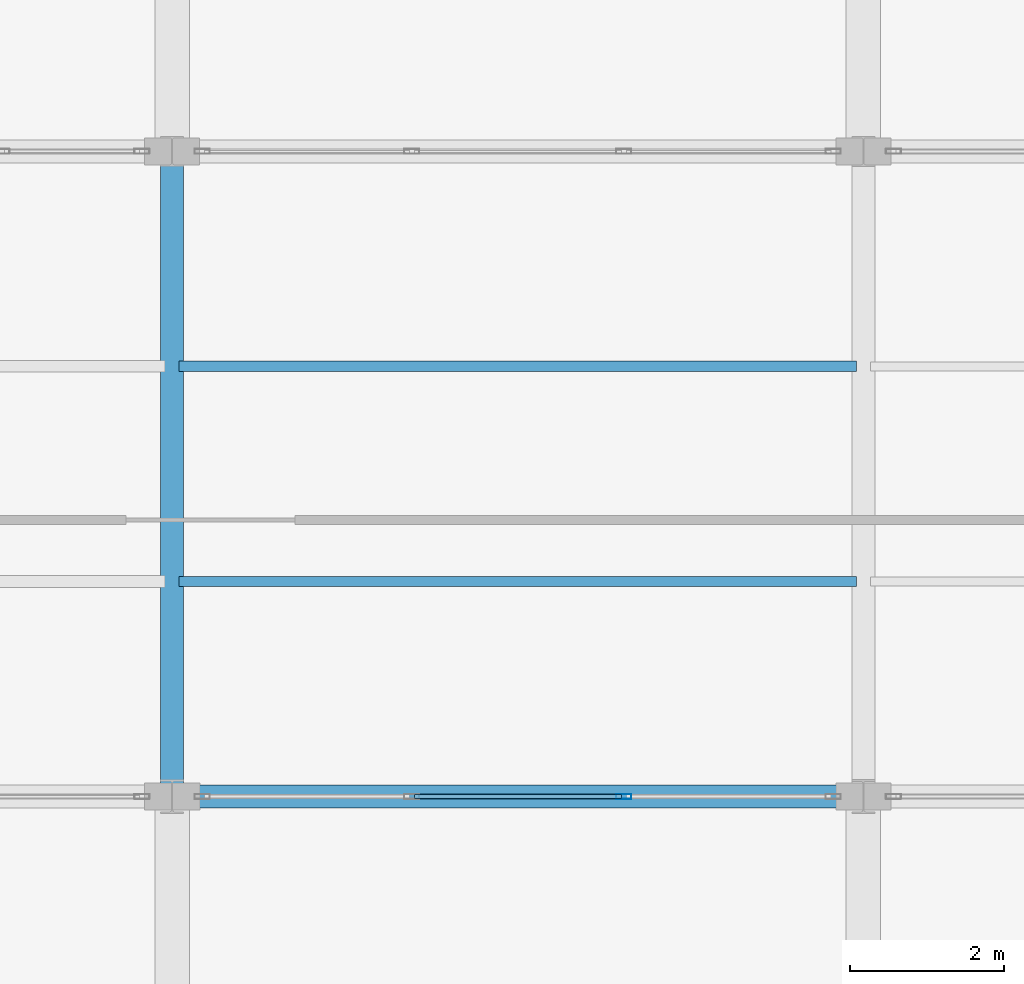
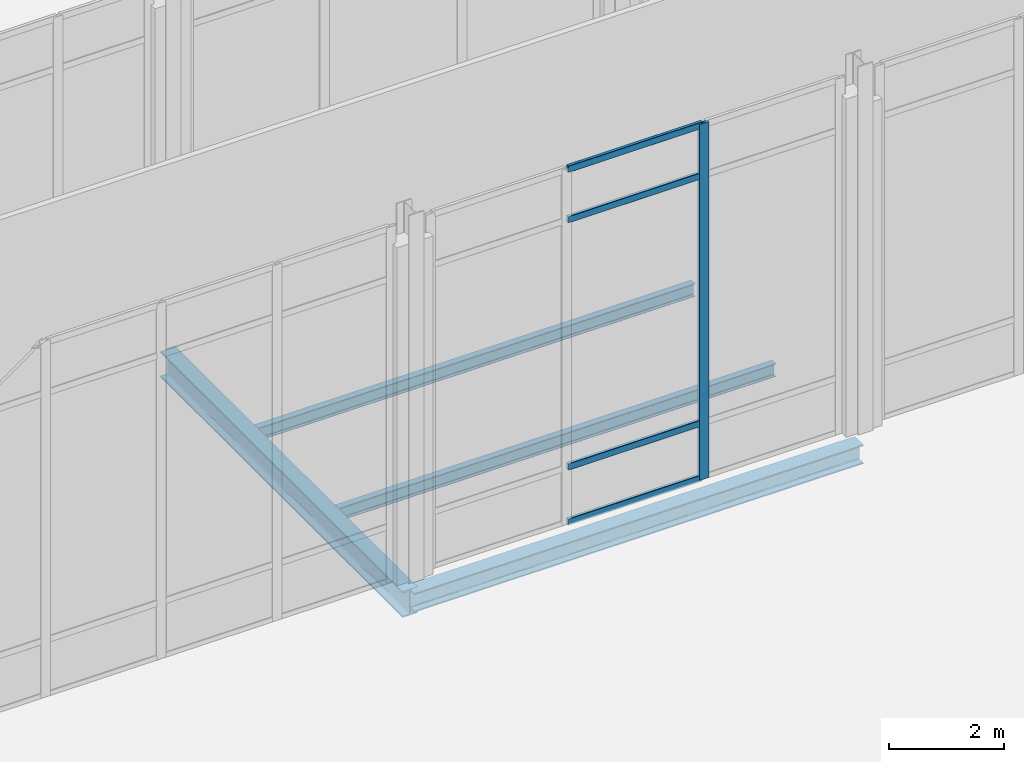
# One storey, part 100 of 176: 5 members, 4 beams, 1 element without a shape of its own.
"""IFC4 building model written with IfcOpenShell, lengths in metres."""

from ifc_helpers import new_model, si_unit, direction, frame, origin, origin_2d, place, context, subcontext, project, spatial, hollow_rectangle, i_section, extrude, material, layer, layer_set, material_profile, profile_set, type_object, element, aggregate, save


model = new_model("IFC4")

# Units and contexts
model_context = context("Model", 3, precision=1e-05, world=origin(), true_north=direction((0.0, 1.0)))
body_context = subcontext(model_context, "Body", "Model", "MODEL_VIEW")
ifc_project = project(units=[si_unit("LENGTHUNIT", "METRE"), si_unit("AREAUNIT", "SQUARE_METRE"), si_unit("VOLUMEUNIT", "CUBIC_METRE"), si_unit("PLANEANGLEUNIT", "RADIAN"), si_unit("MASSUNIT", "GRAM", prefix="KILO")], contexts=[model_context])

# Site, building, storey
site_placement = place(None, origin())
site = spatial("IfcSite", under=ifc_project, at=site_placement, CompositionType="ELEMENT")
building_placement = place(site_placement, origin())
building = spatial("IfcBuilding", under=site, at=building_placement, Name="Vekula Escarpment Museum", CompositionType="ELEMENT")
storey_placement = place(building_placement, origin())
storey = spatial("IfcBuildingStorey", under=building, at=storey_placement, Name="L01", CompositionType="ELEMENT", Elevation=0.0)

# Beams
ifc_material_1 = material(Name="Steel S355", Category="steel")
ifc_material_profile_1 = material_profile(ifc_material_1, i_section(OverallWidth=0.300048828125, OverallDepth=0.39990234375, WebThickness=0.013427734375, FlangeThickness=0.02392578125, FilletRadius=0.027099609375, at=origin_2d()), Name="HEB 400")
ifc_profile_set_1 = profile_set([ifc_material_profile_1], Name="Steel S355")
beam_type_1 = type_object("IfcBeamType", Name="BM-GIRD-HEB400", PredefinedType="BEAM", material=ifc_profile_set_1)
beam_1_placement = place(storey_placement, frame((146.0, 68.0, -0.5), z_axis=(1.0, 0.0, 0.0), x_axis=(0.0, 1.0, 0.0)))
element("IfcBeam", 1, at=beam_1_placement, inside=storey, type_object=beam_type_1, Name="Beam X L01 0201", PredefinedType="BEAM", context=body_context, shape_type="SweptSolid", body=[
    extrude(i_section(OverallWidth=0.300048828125, OverallDepth=0.39990234375, WebThickness=0.013427734375, FlangeThickness=0.02392578125, FilletRadius=0.027099609375, at=origin_2d()), origin(), (0.0, 0.0, 1.0), 9.0),
])
ifc_material_2 = material(Name="Steel S355", Category="steel")
ifc_material_profile_2 = material_profile(ifc_material_2, i_section(OverallWidth=0.300048828125, OverallDepth=0.550048828125, WebThickness=0.014892578125, FlangeThickness=0.029052734375, FilletRadius=0.027099609375, at=origin_2d()), Name="HEB 550")
ifc_profile_set_2 = profile_set([ifc_material_profile_2], Name="Steel S355")
beam_type_2 = type_object("IfcBeamType", Name="BM-GIRD-HEB550", PredefinedType="BEAM", material=ifc_profile_set_2)
beam_2_placement = place(storey_placement, frame((146.0, 68.0, -0.574951171875), z_axis=(0.0, 1.0, 0.0), x_axis=(-1.0, 0.0, 0.0)))
element("IfcBeam", 2, at=beam_2_placement, inside=storey, type_object=beam_type_2, Name="Beam Y L01 0696", PredefinedType="BEAM", context=body_context, shape_type="SweptSolid", body=[
    extrude(i_section(OverallWidth=0.300048828125, OverallDepth=0.550048828125, WebThickness=0.014892578125, FlangeThickness=0.029052734375, FilletRadius=0.027099609375, at=origin_2d()), origin(), (0.0, 0.0, 1.0), 8.39990234375),
])
ifc_material_3 = material(Name="Steel S355", Category="steel")
ifc_material_profile_3 = material_profile(ifc_material_3, i_section(OverallWidth=0.135009765625, OverallDepth=0.27001953125, WebThickness=0.006591796875, FlangeThickness=0.01025390625, FilletRadius=0.014892578125, at=origin_2d()), Name="IPE 270")
ifc_profile_set_3 = profile_set([ifc_material_profile_3], Name="Steel S355")
beam_type_3 = type_object("IfcBeamType", Name="BM-JST-IPE270", PredefinedType="JOIST", material=ifc_profile_set_3)
for number, where, z_axis, x_axis, name in (
    (3, (146.090087890625, 70.800048828125, -0.43505859375), (1.0, 0.0, 0.0), (0.0, 1.0, 0.0), "Secondary Joist L01 0491"),
    (4, (146.090087890625, 73.60009765625, -0.43505859375), (1.0, 0.0, 0.0), (0.0, 1.0, 0.0), "Secondary Joist L01 0492"),
):
    element("IfcBeam", number, at=place(storey_placement, frame(where, z_axis=z_axis, x_axis=x_axis)), inside=storey, type_object=beam_type_3, Name=name, PredefinedType="JOIST", context=body_context, shape_type="SweptSolid", body=[
        extrude(i_section(OverallWidth=0.135009765625, OverallDepth=0.27001953125, WebThickness=0.006591796875, FlangeThickness=0.01025390625, FilletRadius=0.014892578125, at=origin_2d()), origin(), (0.0, 0.0, 1.0), 8.81982421875),
    ])

# Curtain wall, members
ifc_material_4 = material(Name="Aluminium thermally broken framing", Category="aluminium")
ifc_layer = layer(ifc_material_4, 0.199951171875)
ifc_layer_set = layer_set([ifc_layer], Name="Aluminium thermally broken framing")
curtain_wall_type = type_object("IfcCurtainWallType", Name="CW-SYS-04", PredefinedType="NOTDEFINED", material=ifc_layer_set)
curtain_wall_placement = place(storey_placement, origin())
curtain_wall = element("IfcCurtainWall", 5, at=curtain_wall_placement, inside=storey, type_object=curtain_wall_type, Name="Curtain Wall CW-L01-014", PredefinedType="NOTDEFINED")
ifc_material_5 = material(Name="Aluminium anodized mullion", Category="aluminium")
ifc_material_profile_4 = material_profile(ifc_material_5, hollow_rectangle(XDim=0.06494140625, YDim=0.199951171875, WallThickness=0.00390625, InnerFilletRadius=0.00390625, OuterFilletRadius=0.008056640625, at=origin_2d()), Name="ALU 200x65x4")
ifc_profile_set_4 = profile_set([ifc_material_profile_4], Name="Aluminium anodized mullion")
member_type_1 = type_object("IfcMemberType", Name="CW-MUL-200", PredefinedType="MULLION", material=ifc_profile_set_4)
member_1_placement = place(storey_placement, frame((151.8798828125, 68.0, 0.0), z_axis=(0.0, 0.0, 1.0), x_axis=(0.0, 1.0, 0.0)))
member_1 = element("IfcMember", 6, at=member_1_placement, type_object=member_type_1, Name="CW-04 mullion 3", PredefinedType="MULLION", context=body_context, shape_type="SweptSolid", body=[
    extrude(hollow_rectangle(XDim=0.06494140625, YDim=0.199951171875, WallThickness=0.00390625, InnerFilletRadius=0.00390625, OuterFilletRadius=0.008056640625, at=origin_2d()), origin(), (0.0, 0.0, 1.0), 7.5400390625),
])
ifc_material_6 = material(Name="Aluminium anodized transom", Category="aluminium")
ifc_material_profile_5 = material_profile(ifc_material_6, hollow_rectangle(XDim=0.06494140625, YDim=0.139892578125, WallThickness=0.00390625, InnerFilletRadius=0.00390625, OuterFilletRadius=0.008056640625, at=origin_2d()), Name="ALU 140x65x4")
ifc_profile_set_5 = profile_set([ifc_material_profile_5], Name="Aluminium anodized transom")
member_type_2 = type_object("IfcMemberType", Name="CW-TRN-140", PredefinedType="USERDEFINED", material=ifc_profile_set_5)
member_2_placement = place(storey_placement, frame((149.152587890625, 68.0, 0.032470703125), z_axis=(1.0, 0.0, 0.0), x_axis=(0.0, 1.0, 0.0)))
member_2 = element("IfcMember", 7, at=member_2_placement, type_object=member_type_2, Name="CW-04 transom 2.1", ObjectType="TRANSOM", PredefinedType="USERDEFINED", context=body_context, shape_type="SweptSolid", body=[
    extrude(hollow_rectangle(XDim=0.06494140625, YDim=0.139892578125, WallThickness=0.00390625, InnerFilletRadius=0.00390625, OuterFilletRadius=0.008056640625, at=origin_2d()), origin(), (0.0, 0.0, 1.0), 2.69482421875),
])
member_3_placement = place(storey_placement, frame((149.152587890625, 68.0, 1.199951171875), z_axis=(1.0, 0.0, 0.0), x_axis=(0.0, 1.0, 0.0)))
member_3 = element("IfcMember", 8, at=member_3_placement, type_object=member_type_2, Name="CW-04 transom 2.2", ObjectType="TRANSOM", PredefinedType="USERDEFINED", context=body_context, shape_type="SweptSolid", body=[
    extrude(hollow_rectangle(XDim=0.06494140625, YDim=0.139892578125, WallThickness=0.00390625, InnerFilletRadius=0.00390625, OuterFilletRadius=0.008056640625, at=origin_2d()), origin(), (0.0, 0.0, 1.0), 2.69482421875),
])
member_4_placement = place(storey_placement, frame((149.152587890625, 68.0, 6.43994140625), z_axis=(1.0, 0.0, 0.0), x_axis=(0.0, 1.0, 0.0)))
member_4 = element("IfcMember", 9, at=member_4_placement, type_object=member_type_2, Name="CW-04 transom 2.3", ObjectType="TRANSOM", PredefinedType="USERDEFINED", context=body_context, shape_type="SweptSolid", body=[
    extrude(hollow_rectangle(XDim=0.06494140625, YDim=0.139892578125, WallThickness=0.00390625, InnerFilletRadius=0.00390625, OuterFilletRadius=0.008056640625, at=origin_2d()), origin(), (0.0, 0.0, 1.0), 2.69482421875),
])
member_5_placement = place(storey_placement, frame((149.152587890625, 68.0, 7.507568359375), z_axis=(1.0, 0.0, 0.0), x_axis=(0.0, 1.0, 0.0)))
member_5 = element("IfcMember", 10, at=member_5_placement, type_object=member_type_2, Name="CW-04 transom 2.4", ObjectType="TRANSOM", PredefinedType="USERDEFINED", context=body_context, shape_type="SweptSolid", body=[
    extrude(hollow_rectangle(XDim=0.06494140625, YDim=0.139892578125, WallThickness=0.00390625, InnerFilletRadius=0.00390625, OuterFilletRadius=0.008056640625, at=origin_2d()), origin(), (0.0, 0.0, 1.0), 2.69482421875),
])
aggregate(curtain_wall, [member_1, member_2, member_3, member_4, member_5])

save(model, "model.ifc")
